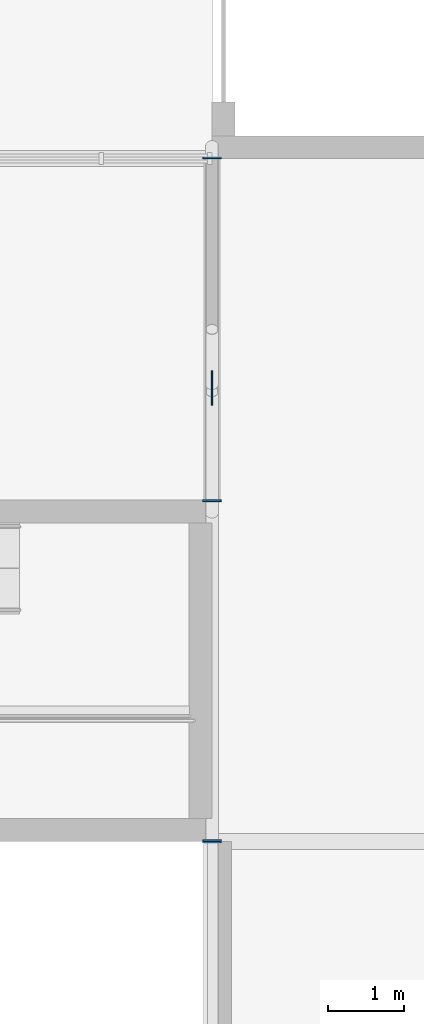
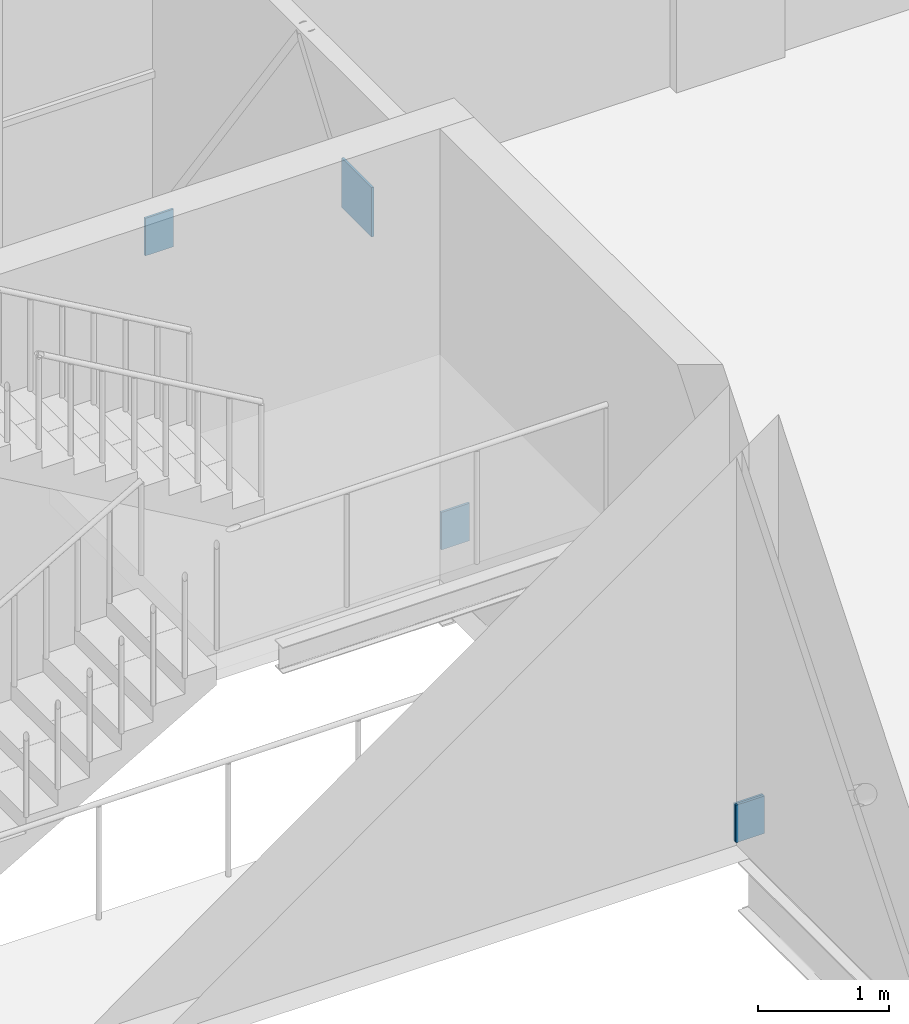
# One storey, part 50 of 61: 5 discrete accessories.
"""IFC4 building model written with IfcOpenShell, lengths in metres."""

from ifc_helpers import new_model, si_unit, direction, frame, origin, origin_2d, place, context, subcontext, project, spatial, rectangle, extrude, element, save


model = new_model("IFC4")

# Units and contexts
model_context = context("Model", 3, precision=1e-05, world=origin(), true_north=direction((0.0, 1.0)))
body_context = subcontext(model_context, "Body", "Model", "MODEL_VIEW")
ifc_project = project(units=[si_unit("LENGTHUNIT", "METRE"), si_unit("AREAUNIT", "SQUARE_METRE"), si_unit("VOLUMEUNIT", "CUBIC_METRE"), si_unit("PLANEANGLEUNIT", "RADIAN"), si_unit("MASSUNIT", "GRAM", prefix="KILO")], contexts=[model_context])

# Site, building, storey
site_placement = place(None, origin())
site = spatial("IfcSite", under=ifc_project, at=site_placement, CompositionType="ELEMENT")
building_placement = place(site_placement, origin())
building = spatial("IfcBuilding", under=site, at=building_placement, Name="Halyard Row Museum", CompositionType="ELEMENT")
storey_placement = place(building_placement, frame((0.0, 0.0, 9.199951171875)))
storey = spatial("IfcBuildingStorey", under=building, at=storey_placement, Name="L02", CompositionType="ELEMENT", Elevation=9.199951171875)

# Discrete accessories
discrete_accessory_placement = place(storey_placement, frame((72.0, 23.975830078125, 2.14892578125), z_axis=(0.0, 0.0, 1.0), x_axis=(1.0, 0.0, 0.0)))
element("IfcDiscreteAccessory", 1, at=discrete_accessory_placement, inside=storey, Name="Brace crossing node plate L02 X72", PredefinedType="BRACKET", context=body_context, shape_type="SweptSolid", body=[
    extrude(rectangle(XDim=0.02001953125, YDim=0.4599609375, at=origin_2d()), origin(), (0.0, 0.0, 1.0), 0.4599609375),
])
for number, where, z_axis, x_axis, name in (
    (2, (72.0, 18.0, 0.215087890625), (0.0, 1.0, 0.0), (-1.0, 0.0, 0.0), "Brace L02 X72 9-18 B cast-in plate"),
    (3, (72.0, 18.0, 0.215087890625), (0.0, -1.0, 0.0), (1.0, 0.0, 0.0), "Brace L02 X72 18-27 A cast-in plate"),
    (4, (72.0, 27.0, 0.215087890625), (0.0, 1.0, 0.0), (-1.0, 0.0, 0.0), "Brace L02 X72 18-27 B cast-in plate"),
    (5, (72.0, 22.5, 0.215087890625), (0.0, -1.0, 0.0), (1.0, 0.0, 0.0), "Brace L02 X72 22.5-27 A cast-in plate"),
):
    element("IfcDiscreteAccessory", number, at=place(storey_placement, frame(where, z_axis=z_axis, x_axis=x_axis)), inside=storey, Name=name, PredefinedType="ANCHORPLATE", context=body_context, shape_type="SweptSolid", body=[
        extrude(rectangle(XDim=0.25, YDim=0.35009765625, at=origin_2d()), origin(), (0.0, 0.0, 1.0), 0.02001953125),
    ])

save(model, "model.ifc")
